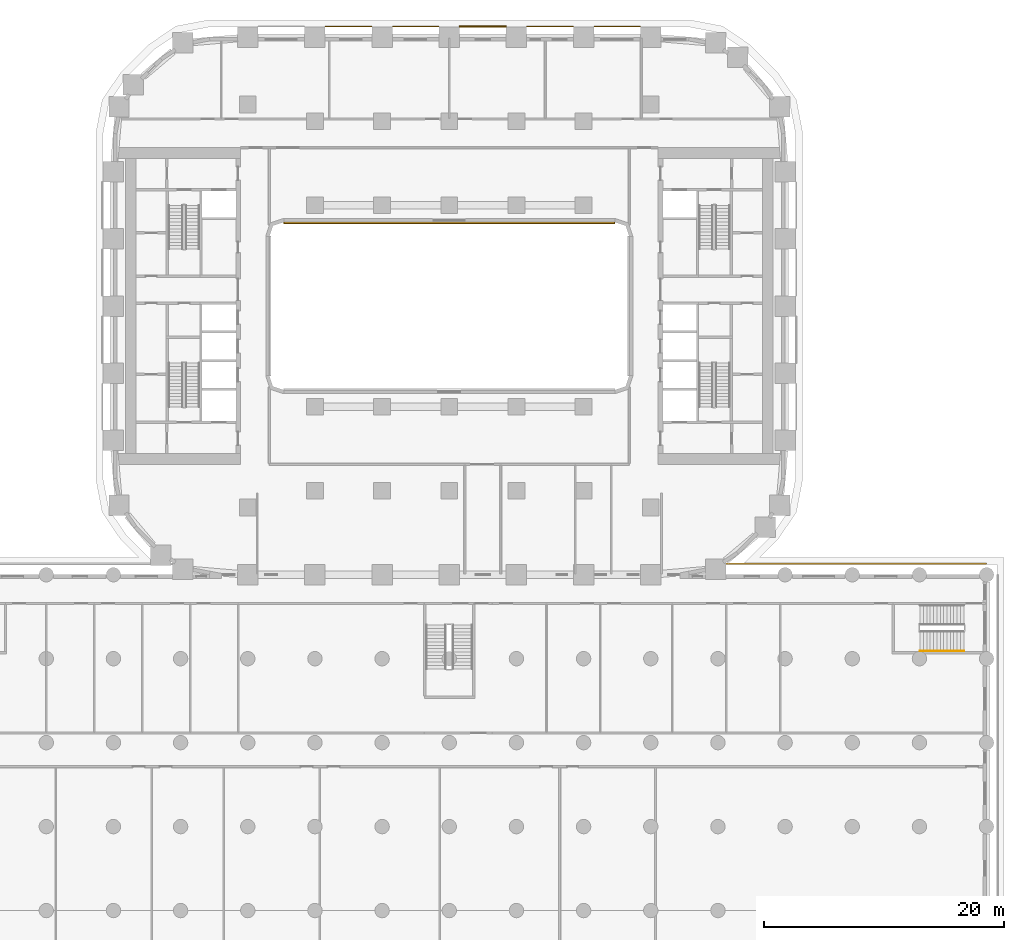
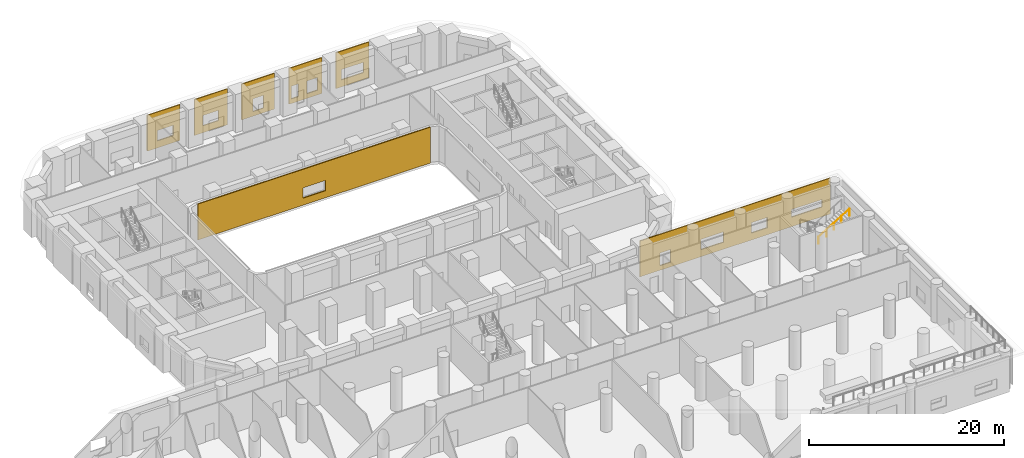
# One storey, part 25 of 27: 7 coverings, 1 railing.
"""IFC4 building model written with IfcOpenShell, lengths in metres."""

import ifcopenshell
import ifcopenshell.guid

model = None  # the IFC model being written
_history = None  # IfcOwnerHistory: only IFC2X3 demands one
_inside = {}  # id of a spatial element -> (the spatial element, [elements in it])
_under = {}  # id of a project, library or spatial element -> (it, [spatial elements below it])
_declared = {}  # id of a project -> (the project, [libraries it declares])
_typed = {}  # id of a type object -> (the type object, [elements of that type])
_made_of = {}  # id of a material, layer set ... -> (it, [elements and type objects made of it])


def new_model(schema):
    """Start an empty IFC model of exactly this schema.

    Asked for "IFC4X3", IfcOpenShell would pick the latest addendum, in which some entities
    have other attributes; the version numbers below select the first issue.
    IFC2X3 requires an IfcOwnerHistory on every rooted entity: one is made here for all.
    """
    global model, _history
    if schema == "IFC4X3":
        model = ifcopenshell.file(schema_version=(4, 3, 0, 0))
    else:
        model = ifcopenshell.file(schema=schema)
    _inside.clear()
    _under.clear()
    _declared.clear()
    _typed.clear()
    _made_of.clear()
    _history = None
    if model.schema == "IFC2X3":
        org = make("IfcOrganization", Name="unknown")
        user = make(
            "IfcPersonAndOrganization",
            ThePerson=make("IfcPerson", FamilyName="unknown"),
            TheOrganization=org,
        )
        app = make(
            "IfcApplication",
            ApplicationDeveloper=org,
            Version="unknown",
            ApplicationFullName="unknown",
            ApplicationIdentifier="unknown",
        )
        _history = make(
            "IfcOwnerHistory",
            OwningUser=user,
            OwningApplication=app,
            ChangeAction="ADDED",
            CreationDate=0,
        )
    return model


def make(cls, **values):
    """One entity of the class cls with the attributes given. An attribute that is None is left unset."""
    return model.create_entity(
        cls, **{name: value for name, value in values.items() if value is not None}
    )


def rooted(cls, **values):
    """An entity with a GlobalId (a new one), such as an element, a storey or a relation."""
    return make(cls, GlobalId=ifcopenshell.guid.new(), OwnerHistory=_history, **values)


def si_unit(unit_type, name, prefix=None):
    """IfcSIUnit, for example si_unit("LENGTHUNIT", "METRE", prefix="MILLI")."""
    return make("IfcSIUnit", UnitType=unit_type, Prefix=prefix, Name=name)


def assignment(units):
    """IfcUnitAssignment: the units of a project."""
    return None if units is None else make("IfcUnitAssignment", Units=units)


def point(xyz):
    """IfcCartesianPoint."""
    return None if xyz is None else make("IfcCartesianPoint", Coordinates=xyz)


def direction(xyz):
    """IfcDirection."""
    return None if xyz is None else make("IfcDirection", DirectionRatios=xyz)


def frame(location, z_axis=None, x_axis=None):
    """IfcAxis2Placement3D, a coordinate frame: its origin and axes. An axis left out is left unset."""
    return make(
        "IfcAxis2Placement3D",
        Location=point(location),
        Axis=direction(z_axis),
        RefDirection=direction(x_axis),
    )


def frame_2d(location, x_axis=None):
    """IfcAxis2Placement2D, a coordinate frame in the plane: its origin and x axis."""
    return make(
        "IfcAxis2Placement2D", Location=point(location), RefDirection=direction(x_axis)
    )


def origin():
    """The frame at (0, 0, 0) with its axes left unset."""
    return frame((0.0, 0.0, 0.0))


def origin_2d():
    """The frame at (0, 0) in the plane with its x axis left unset."""
    return frame_2d((0.0, 0.0))


def place(relative_to, where):
    """IfcLocalPlacement: puts the frame where relative to a parent placement (None: the world)."""
    return make(
        "IfcLocalPlacement", PlacementRelTo=relative_to, RelativePlacement=where
    )


def context(
    kind, dimensions, precision=None, world=None, true_north=None, identifier=None
):
    """IfcGeometricRepresentationContext, for example the 3D "Model" context."""
    return make(
        "IfcGeometricRepresentationContext",
        ContextIdentifier=identifier,
        ContextType=kind,
        CoordinateSpaceDimension=dimensions,
        Precision=precision,
        WorldCoordinateSystem=world,
        TrueNorth=true_north,
    )


def subcontext(parent, identifier, kind, view, scale=None):
    """IfcGeometricRepresentationSubContext, for example "Body" below "Model"."""
    return make(
        "IfcGeometricRepresentationSubContext",
        ContextIdentifier=identifier,
        ContextType=kind,
        ParentContext=parent,
        TargetScale=scale,
        TargetView=view,
    )


def project(units=None, contexts=None):
    """IfcProject with its units and contexts."""
    return rooted(
        "IfcProject",
        Name="project",
        RepresentationContexts=contexts,
        UnitsInContext=assignment(units),
    )


def spatial(cls, under=None, at=None, **own):
    """A site, building, storey or space (cls), placed at a placement, below another one or the project."""
    s = rooted(cls, ObjectPlacement=at, **own)
    if under is not None:
        _under.setdefault(under.id(), (under, []))[1].append(s)
    return s


def polyline(points):
    """IfcPolyline through the points."""
    return make("IfcPolyline", Points=[point(p) for p in points])


def profile(cls, at=None, kind="AREA", **sizes):
    """A parametric profile (cls). Its sizes go by their IFC names, for example OverallWidth=200.0."""
    return make(cls, ProfileType=kind, Position=at, **sizes)


def circle(**sizes):
    """IfcCircleProfileDef."""
    return profile("IfcCircleProfileDef", **sizes)


def outline(outer, holes=None, kind="AREA"):
    """IfcArbitraryClosedProfileDef: a profile drawn as a closed curve; with holes, ...WithVoids."""
    if holes is None:
        return make("IfcArbitraryClosedProfileDef", ProfileType=kind, OuterCurve=outer)
    return make(
        "IfcArbitraryProfileDefWithVoids",
        ProfileType=kind,
        OuterCurve=outer,
        InnerCurves=holes,
    )


def extrude(swept, where, along, depth):
    """IfcExtrudedAreaSolid: the profile swept, set in the frame where, extruded along a direction by depth."""
    return make(
        "IfcExtrudedAreaSolid",
        SweptArea=swept,
        Position=where,
        ExtrudedDirection=direction(along),
        Depth=depth,
    )


def shape(context_of_items, identifier, shape_type, items):
    """IfcShapeRepresentation: the items that make up one representation, for example the "Body"."""
    return make(
        "IfcShapeRepresentation",
        ContextOfItems=context_of_items,
        RepresentationIdentifier=identifier,
        RepresentationType=shape_type,
        Items=items,
    )


def material(Name=None, Category=None):
    """IfcMaterial."""
    return make("IfcMaterial", Name=Name, Category=Category)


def layer(
    of_material, thickness, ventilated=None, Name=None, Category=None, Priority=None
):
    """IfcMaterialLayer: one layer of a wall or slab, of a material (None: an air gap)."""
    return make(
        "IfcMaterialLayer",
        Material=of_material,
        LayerThickness=thickness,
        IsVentilated=ventilated,
        Name=Name,
        Category=Category,
        Priority=Priority,
    )


def layer_set(layers, Name=None):
    """IfcMaterialLayerSet."""
    return make("IfcMaterialLayerSet", MaterialLayers=layers, LayerSetName=Name)


def made_of(thing, what):
    """Note that an element or type object is made of a material, layer set ...; save() writes the relation."""
    if what is not None:
        _made_of.setdefault(what.id(), (what, []))[1].append(thing)
    return thing


def type_object(cls, material=None, **own):
    """A type object (cls), such as IfcWallType, which elements share."""
    return made_of(rooted(cls, **own), material)


def element(
    cls,
    number,
    at=None,
    inside=None,
    cuts=None,
    type_object=None,
    material=None,
    context=None,
    identifier="Body",
    shape_type=None,
    held_by="IfcProductDefinitionShape",
    body=None,
    shapes=None,
    **own,
):
    """One element of the class cls, such as IfcWall. Its Tag is "e" and its number.

    at: its placement. inside: the storey or other place that contains it. cuts: it is an
    opening in that element (IfcRelVoidsElement). A single representation is given by context,
    identifier, shape_type and body (its items); several are given by shapes. held_by: the class
    of the entity that holds the representations. save() writes the other relations.
    """
    e = rooted(cls, Tag="e%d" % number, ObjectPlacement=at, **own)
    if body is not None:
        shapes = [shape(context, identifier, shape_type, body)]
    if shapes is not None:
        e.Representation = make(held_by, Representations=shapes)
    if inside is not None:
        _inside.setdefault(inside.id(), (inside, []))[1].append(e)
    if cuts is not None:
        rooted(
            "IfcRelVoidsElement", RelatingBuildingElement=cuts, RelatedOpeningElement=e
        )
    if type_object is not None:
        _typed.setdefault(type_object.id(), (type_object, []))[1].append(e)
    return made_of(e, material)


def aggregate(whole, parts):
    """IfcRelAggregates: a whole, such as a stair, and the parts it consists of."""
    return rooted("IfcRelAggregates", RelatingObject=whole, RelatedObjects=parts)


def save(model, path):
    """Write the relations noted so far, then the file.

    IfcRelAggregates (storeys below a building ...), IfcRelContainedInSpatialStructure (elements
    in a storey), IfcRelDefinesByType, IfcRelAssociatesMaterial and IfcRelDeclares: one each for
    every whole, place, type object, material and project.
    """
    for whole, parts in _under.values():
        aggregate(whole, parts)
    for where, things in _inside.values():
        rooted(
            "IfcRelContainedInSpatialStructure",
            RelatedElements=things,
            RelatingStructure=where,
        )
    for kind, things in _typed.values():
        rooted("IfcRelDefinesByType", RelatedObjects=things, RelatingType=kind)
    for what, things in _made_of.values():
        rooted("IfcRelAssociatesMaterial", RelatedObjects=things, RelatingMaterial=what)
    for by, libraries in _declared.values():
        rooted("IfcRelDeclares", RelatingContext=by, RelatedDefinitions=libraries)
    model.write(path)


model = new_model("IFC4")

# Units and contexts
model_context = context("Model", 3, precision=1e-05, world=origin(), true_north=direction((0.0, 1.0)))
body_context = subcontext(model_context, "Body", "Model", "MODEL_VIEW")
ifc_project = project(units=[si_unit("LENGTHUNIT", "METRE"), si_unit("AREAUNIT", "SQUARE_METRE"), si_unit("VOLUMEUNIT", "CUBIC_METRE"), si_unit("PLANEANGLEUNIT", "RADIAN"), si_unit("MASSUNIT", "GRAM", prefix="KILO")], contexts=[model_context])

# Site, building, storey
site_placement = place(None, origin())
site = spatial("IfcSite", under=ifc_project, at=site_placement, CompositionType="ELEMENT")
building_placement = place(site_placement, origin())
building = spatial("IfcBuilding", under=site, at=building_placement, Name="Kiln Ring Residences", CompositionType="ELEMENT")
storey_placement = place(building_placement, frame((0.0, 0.0, 6.5)))
storey = spatial("IfcBuildingStorey", under=building, at=storey_placement, Name="L01", CompositionType="ELEMENT", Elevation=6.5)

# Railing
ifc_material_1 = material(Name="Stainless steel", Category="steel")
railing_type = type_object("IfcRailingType", Name="PODIUM-STAIR-HANDRAIL", PredefinedType="HANDRAIL", material=ifc_material_1)
railing_placement = place(storey_placement, frame((39.260009765625, -28.75, 2.571533203125)))
element("IfcRailing", 1, at=railing_placement, inside=storey, type_object=railing_type, Name="L01 PS-E stair handrail 2", PredefinedType="HANDRAIL", context=body_context, shape_type="SweptSolid", body=[
    extrude(circle(Radius=0.02392578125, at=origin_2d()), frame((0.0, 0.0, 0.8759765625), z_axis=(0.852850264322, 0.0, 0.5221555579), x_axis=(0.0, 1.0, 0.0)), (0.0, 0.0, 1.0), 4.267822265625),
    extrude(circle(Radius=0.02099609375, at=origin_2d()), origin(), (0.0, 0.0, 1.0), 0.851806640625),
    extrude(circle(Radius=0.02099609375, at=origin_2d()), frame((0.909912109375, 0.0, 0.55712890625)), (0.0, 0.0, 1.0), 0.851806640625),
    extrude(circle(Radius=0.02099609375, at=origin_2d()), frame((1.81982421875, 0.0, 1.1142578125)), (0.0, 0.0, 1.0), 0.851806640625),
    extrude(circle(Radius=0.02099609375, at=origin_2d()), frame((2.72998046875, 0.0, 1.67138671875)), (0.0, 0.0, 1.0), 0.851806640625),
    extrude(circle(Radius=0.02099609375, at=origin_2d()), frame((3.639892578125, 0.0, 2.228515625)), (0.0, 0.0, 1.0), 0.851806640625),
])

# Coverings
ifc_material_2 = material(Name="Brick masonry, dark clay brick", Category="masonry")
ifc_layer = layer(ifc_material_2, 0.1201171875)
ifc_layer_set = layer_set([ifc_layer], Name="RAINSCREEN PANEL 120")
covering_type = type_object("IfcCoveringType", Name="RAINSCREEN PANEL 120", PredefinedType="CLADDING", material=ifc_layer_set)
covering_1_placement = place(storey_placement, frame((44.800048828125, -21.489990234375, 0.0), z_axis=(0.0, 0.0, 1.0), x_axis=(-1.0, 0.0, 0.0)))
element("IfcCovering", 2, at=covering_1_placement, inside=storey, type_object=covering_type, Name="RAINSCREEN L01", PredefinedType="CLADDING", context=body_context, shape_type="SweptSolid", body=[
    extrude(outline(polyline([(0.0, 0.0), (22.59130859375, 0.0), (22.59130859375, 4.5), (0.0, 4.5), (0.0, 0.0)]), holes=[polyline([(20.190673828125, 0.580078125), (20.190673828125, 2.169921875), (18.95068359375, 2.169921875), (18.95068359375, 0.580078125), (20.190673828125, 0.580078125)]), polyline([(9.320068359375, 0.8798828125), (9.320068359375, 2.169921875), (7.47998046875, 2.169921875), (7.47998046875, 0.8798828125), (9.320068359375, 0.8798828125)]), polyline([(15.320068359375, 0.8798828125), (15.320068359375, 2.169921875), (12.679931640625, 2.169921875), (12.679931640625, 0.8798828125), (15.320068359375, 0.8798828125)]), polyline([(4.60009765625, 1.199951171875), (4.60009765625, 2.14990234375), (1.0, 2.14990234375), (1.0, 1.199951171875), (4.60009765625, 1.199951171875)])]), frame((0.0, 0.06005859375, 0.0), z_axis=(0.0, -1.0, 0.0), x_axis=(1.0, 0.0, 0.0)), (0.0, 0.0, 1.0), 0.1201171875),
])
covering_2_placement = place(storey_placement, frame((15.949951171875, 23.31005859375, 0.0), z_axis=(0.0, 0.0, 1.0), x_axis=(-1.0, 0.0, 0.0)))
element("IfcCovering", 3, at=covering_2_placement, inside=storey, type_object=covering_type, Name="RAINSCREEN L01", PredefinedType="CLADDING", context=body_context, shape_type="SweptSolid", body=[
    extrude(outline(polyline([(0.0, 0.0), (3.89990234375, 0.0), (3.89990234375, 4.5), (0.0, 4.5), (0.0, 0.0)]), holes=[polyline([(0.642578125, 2.169921875), (0.642578125, 0.8798828125), (3.282470703125, 0.8798828125), (3.282470703125, 2.169921875), (0.642578125, 2.169921875)])]), frame((0.0, 0.06005859375, 0.0), z_axis=(0.0, -1.0, 0.0), x_axis=(1.0, 0.0, 0.0)), (0.0, 0.0, 1.0), 0.1201171875),
])
covering_3_placement = place(storey_placement, frame((10.35009765625, 23.31005859375, 0.0), z_axis=(0.0, 0.0, 1.0), x_axis=(-1.0, 0.0, 0.0)))
element("IfcCovering", 4, at=covering_3_placement, inside=storey, type_object=covering_type, Name="RAINSCREEN L01", PredefinedType="CLADDING", context=body_context, shape_type="SweptSolid", body=[
    extrude(outline(polyline([(0.0, 0.0), (3.89990234375, 0.0), (3.89990234375, 4.5), (0.0, 4.5), (0.0, 0.0)]), holes=[polyline([(1.757568359375, 2.169921875), (0.517578125, 2.169921875), (0.517578125, 0.580078125), (1.757568359375, 0.580078125), (1.757568359375, 2.169921875)]), polyline([(3.58251953125, 2.169921875), (2.742431640625, 2.169921875), (2.742431640625, 0.580078125), (3.58251953125, 0.580078125), (3.58251953125, 2.169921875)])]), frame((0.0, 0.06005859375, 0.0), z_axis=(0.0, -1.0, 0.0), x_axis=(1.0, 0.0, 0.0)), (0.0, 0.0, 1.0), 0.1201171875),
])
covering_4_placement = place(storey_placement, frame((4.75, 23.31005859375, 0.0), z_axis=(0.0, 0.0, 1.0), x_axis=(-1.0, 0.0, 0.0)))
element("IfcCovering", 5, at=covering_4_placement, inside=storey, type_object=covering_type, Name="RAINSCREEN L01", PredefinedType="CLADDING", context=body_context, shape_type="SweptSolid", body=[
    extrude(outline(polyline([(0.0, 0.0), (3.89990234375, 0.0), (3.89990234375, 4.5), (0.0, 4.5), (0.0, 0.0)]), holes=[polyline([(1.330078125, 2.169921875), (1.330078125, 0.580078125), (2.570068359375, 0.580078125), (2.570068359375, 2.169921875), (1.330078125, 2.169921875)])]), frame((0.0, 0.06005859375, 0.0), z_axis=(0.0, -1.0, 0.0), x_axis=(1.0, 0.0, 0.0)), (0.0, 0.0, 1.0), 0.1201171875),
])
covering_5_placement = place(storey_placement, frame((-0.85009765625, 23.31005859375, 0.0), z_axis=(0.0, 0.0, 1.0), x_axis=(-1.0, 0.0, 0.0)))
element("IfcCovering", 6, at=covering_5_placement, inside=storey, type_object=covering_type, Name="RAINSCREEN L01", PredefinedType="CLADDING", context=body_context, shape_type="SweptSolid", body=[
    extrude(outline(polyline([(0.0, 0.0), (3.89990234375, 0.0), (3.89990234375, 4.5), (0.0, 4.5), (0.0, 0.0)]), holes=[polyline([(1.030029296875, 2.169921875), (1.030029296875, 0.8798828125), (2.8701171875, 0.8798828125), (2.8701171875, 2.169921875), (1.030029296875, 2.169921875)])]), frame((0.0, 0.06005859375, 0.0), z_axis=(0.0, -1.0, 0.0), x_axis=(1.0, 0.0, 0.0)), (0.0, 0.0, 1.0), 0.1201171875),
])
covering_6_placement = place(storey_placement, frame((-6.449951171875, 23.31005859375, 0.0), z_axis=(0.0, 0.0, 1.0), x_axis=(-1.0, 0.0, 0.0)))
element("IfcCovering", 7, at=covering_6_placement, inside=storey, type_object=covering_type, Name="RAINSCREEN L01", PredefinedType="CLADDING", context=body_context, shape_type="SweptSolid", body=[
    extrude(outline(polyline([(0.0, 0.0), (3.89990234375, 0.0), (3.89990234375, 4.5), (0.0, 4.5), (0.0, 0.0)]), holes=[polyline([(0.8173828125, 2.169921875), (0.8173828125, 0.8798828125), (2.657470703125, 0.8798828125), (2.657470703125, 2.169921875), (0.8173828125, 2.169921875)])]), frame((0.0, 0.06005859375, 0.0), z_axis=(0.0, -1.0, 0.0), x_axis=(1.0, 0.0, 0.0)), (0.0, 0.0, 1.0), 0.1201171875),
])
covering_7_placement = place(storey_placement, frame((-13.800048828125, 6.93994140625, 0.0), z_axis=(0.0, 0.0, 1.0), x_axis=(1.0, 0.0, 0.0)))
element("IfcCovering", 8, at=covering_7_placement, inside=storey, type_object=covering_type, Name="RAINSCREEN L01", PredefinedType="CLADDING", context=body_context, shape_type="SweptSolid", body=[
    extrude(outline(polyline([(0.0, 0.0), (27.60009765625, 0.0), (27.60009765625, 4.5), (0.0, 4.5), (0.0, 0.0)]), holes=[polyline([(12.47998046875, 2.169921875), (12.47998046875, 0.8798828125), (15.1201171875, 0.8798828125), (15.1201171875, 2.169921875), (12.47998046875, 2.169921875)])]), frame((0.0, 0.06005859375, 0.0), z_axis=(0.0, -1.0, 0.0), x_axis=(1.0, 0.0, 0.0)), (0.0, 0.0, 1.0), 0.1201171875),
])

save(model, "model.ifc")
